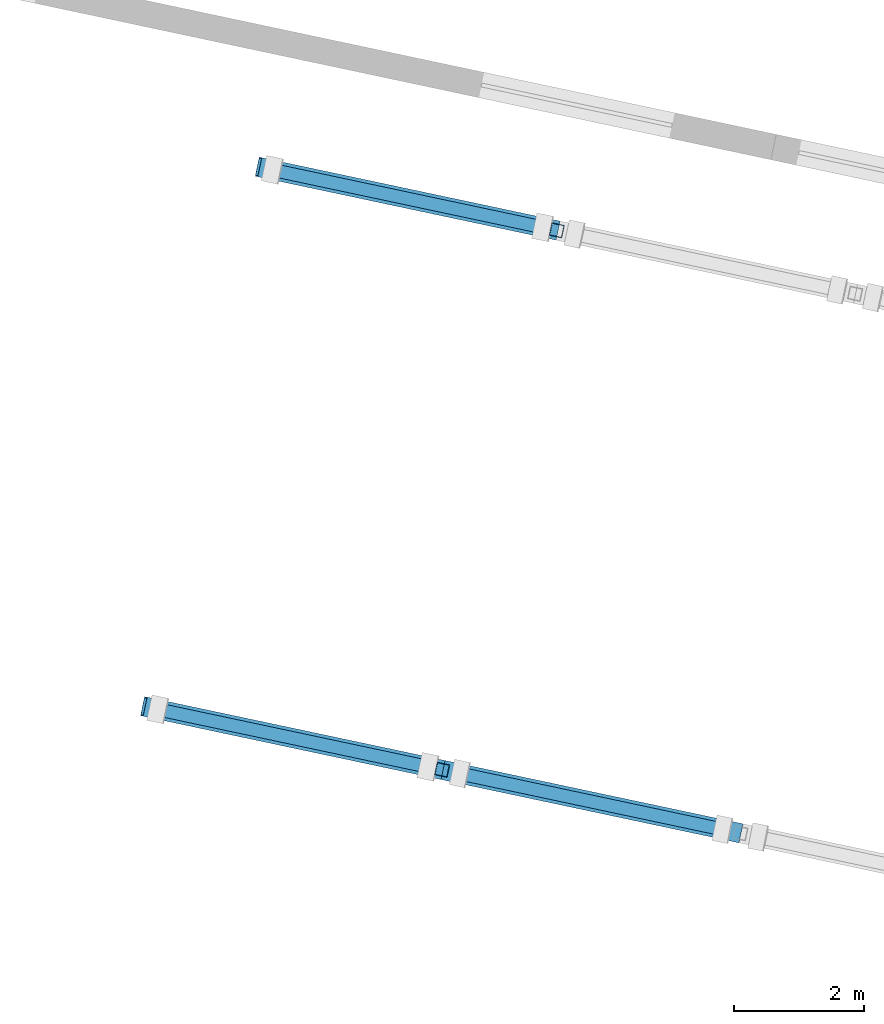
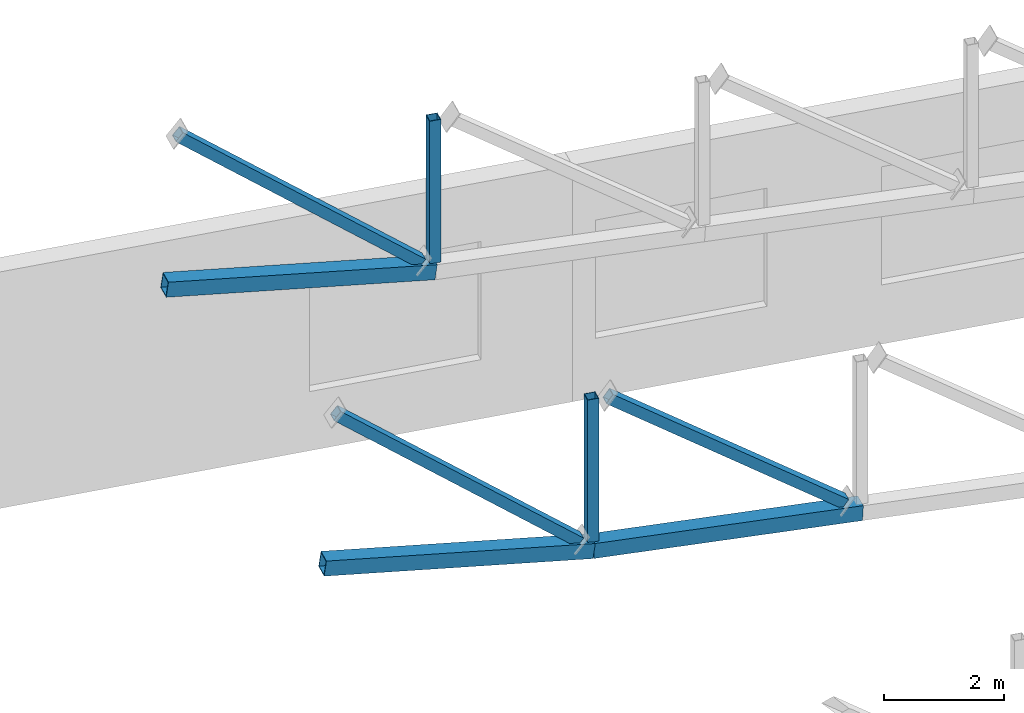
# One storey, part 67 of 182: 8 members.
"""IFC4 building model written with IfcOpenShell, lengths in metres."""

from ifc_helpers import new_model, si_unit, direction, frame, origin, origin_2d, place, context, subcontext, project, spatial, hollow_rectangle, extrude, material, material_profile, profile_set, type_object, element, save


model = new_model("IFC4")

# Units and contexts
model_context = context("Model", 3, precision=1e-05, world=origin(), true_north=direction((0.0, 1.0)))
body_context = subcontext(model_context, "Body", "Model", "MODEL_VIEW")
ifc_project = project(units=[si_unit("LENGTHUNIT", "METRE"), si_unit("AREAUNIT", "SQUARE_METRE"), si_unit("VOLUMEUNIT", "CUBIC_METRE"), si_unit("PLANEANGLEUNIT", "RADIAN"), si_unit("MASSUNIT", "GRAM", prefix="KILO")], contexts=[model_context])

# Site, building, storey
site_placement = place(None, origin())
site = spatial("IfcSite", under=ifc_project, at=site_placement, CompositionType="ELEMENT")
building_placement = place(site_placement, origin())
building = spatial("IfcBuilding", under=site, at=building_placement, Name="Okhra Congress Centre", CompositionType="ELEMENT")
storey_placement = place(building_placement, frame((0.0, 0.0, 7.199951171875)))
storey = spatial("IfcBuildingStorey", under=building, at=storey_placement, Name="L01", CompositionType="ELEMENT", Elevation=7.199951171875)

# Members
ifc_material = material(Name="Steel S355J2", Category="steel")
ifc_material_profile_1 = material_profile(ifc_material, hollow_rectangle(XDim=0.300048828125, YDim=0.300048828125, WallThickness=0.01611328125, at=origin_2d()), Name="RHS 300x300x16")
ifc_profile_set_1 = profile_set([ifc_material_profile_1], Name="Steel S355J2")
member_type_1 = type_object("IfcMemberType", Name="Steel truss chord RHS 300x300x16", PredefinedType="CHORD", material=ifc_profile_set_1)
member_1_placement = place(storey_placement, frame((220.810546875, 125.999755859375, 5.2041015625), z_axis=(0.968629274242, -0.205906376974, -0.139139832554), x_axis=(0.207928955205, 0.978143930916, 0.0)))
element("IfcMember", 1, at=member_1_placement, inside=storey, type_object=member_type_1, Name="Hall truss 5 bottom chord 4", PredefinedType="CHORD", context=body_context, shape_type="SweptSolid", body=[
    extrude(hollow_rectangle(XDim=0.300048828125, YDim=0.300048828125, WallThickness=0.01611328125, at=origin_2d()), origin(), (0.0, 0.0, 1.0), 4.746337890625),
])
member_2_placement = place(storey_placement, frame((225.407958984375, 125.0224609375, 4.543701171875), z_axis=(0.9768114081, -0.207604846267, -0.052342151395), x_axis=(0.20788981954, 0.978152249362, 0.0)))
element("IfcMember", 2, at=member_2_placement, inside=storey, type_object=member_type_1, Name="Hall truss 5 bottom chord 5", PredefinedType="CHORD", context=body_context, shape_type="SweptSolid", body=[
    extrude(hollow_rectangle(XDim=0.300048828125, YDim=0.300048828125, WallThickness=0.01611328125, at=origin_2d()), origin(), (0.0, 0.0, 1.0), 4.706298828125),
])
member_3_placement = place(storey_placement, frame((222.577880859375, 134.31396484375, 5.2041015625), z_axis=(0.96862609733, -0.205916636623, -0.139146765442), x_axis=(0.207939520185, 0.978141685005, 0.0)))
element("IfcMember", 3, at=member_3_placement, inside=storey, type_object=member_type_1, Name="Hall truss 6 bottom chord 4", PredefinedType="CHORD", context=body_context, shape_type="SweptSolid", body=[
    extrude(hollow_rectangle(XDim=0.300048828125, YDim=0.300048828125, WallThickness=0.01611328125, at=origin_2d()), origin(), (0.0, 0.0, 1.0), 4.74609375),
])
ifc_material_profile_2 = material_profile(ifc_material, hollow_rectangle(XDim=0.199951171875, YDim=0.199951171875, WallThickness=0.010009765625, at=origin_2d()), Name="RHS 200x200x10 diagonal")
ifc_profile_set_2 = profile_set([ifc_material_profile_2], Name="Steel S355J2")
member_type_2 = type_object("IfcMemberType", Name="Steel truss diagonal RHS 200x200x10", PredefinedType="BRACE", material=ifc_profile_set_2)
member_4_placement = place(storey_placement, frame((221.0341796875, 125.9521484375, 8.216552734375), z_axis=(0.755850558635, -0.160649924604, -0.634729497295), x_axis=(0.207897982731, 0.978150514377, 0.0)))
element("IfcMember", 4, at=member_4_placement, inside=storey, type_object=member_type_2, Name="Hall truss 5 diagonal 4", PredefinedType="BRACE", context=body_context, shape_type="SweptSolid", body=[
    extrude(hollow_rectangle(XDim=0.199951171875, YDim=0.199951171875, WallThickness=0.010009765625, at=origin_2d()), origin(), (0.0, 0.0, 1.0), 5.49072265625),
])
member_5_placement = place(storey_placement, frame((225.69140625, 124.962158203125, 7.531005859375), z_axis=(0.788834062025, -0.167677412385, -0.591291051823), x_axis=(0.2079182829, 0.97814619952, 0.0)))
element("IfcMember", 5, at=member_5_placement, inside=storey, type_object=member_type_2, Name="Hall truss 5 diagonal 5", PredefinedType="BRACE", context=body_context, shape_type="SweptSolid", body=[
    extrude(hollow_rectangle(XDim=0.199951171875, YDim=0.199951171875, WallThickness=0.010009765625, at=origin_2d()), origin(), (0.0, 0.0, 1.0), 5.109130859375),
])
member_6_placement = place(storey_placement, frame((222.80126953125, 134.266357421875, 8.216552734375), z_axis=(0.75586961912, -0.160644525522, -0.634708165467), x_axis=(0.207886281963, 0.978153001208, 0.0)))
element("IfcMember", 6, at=member_6_placement, inside=storey, type_object=member_type_2, Name="Hall truss 6 diagonal 4", PredefinedType="BRACE", context=body_context, shape_type="SweptSolid", body=[
    extrude(hollow_rectangle(XDim=0.199951171875, YDim=0.199951171875, WallThickness=0.010009765625, at=origin_2d()), origin(), (0.0, 0.0, 1.0), 5.490966796875),
])
ifc_material_profile_3 = material_profile(ifc_material, hollow_rectangle(XDim=0.199951171875, YDim=0.199951171875, WallThickness=0.010009765625, at=origin_2d()), Name="RHS 200x200x10")
ifc_profile_set_3 = profile_set([ifc_material_profile_3], Name="Steel S355J2")
member_type_3 = type_object("IfcMemberType", Name="Steel truss post RHS 200x200x10", PredefinedType="POST", material=ifc_profile_set_3)
for number, where, z_axis, x_axis, name in (
    (7, (225.407958984375, 125.0224609375, 4.69384765625), (0.0, 0.0, 1.0), (0.978147600734, -0.207911690818, 0.0), "Hall truss 5 post 5"),
    (8, (227.175048828125, 133.336669921875, 4.69384765625), (0.0, 0.0, 1.0), (0.978147600734, -0.207911690818, 0.0), "Hall truss 6 post 5"),
):
    element("IfcMember", number, at=place(storey_placement, frame(where, z_axis=z_axis, x_axis=x_axis)), inside=storey, type_object=member_type_3, Name=name, PredefinedType="POST", context=body_context, shape_type="SweptSolid", body=[
        extrude(hollow_rectangle(XDim=0.199951171875, YDim=0.199951171875, WallThickness=0.010009765625, at=origin_2d()), origin(), (0.0, 0.0, 1.0), 2.899658203125),
    ])

save(model, "model.ifc")
